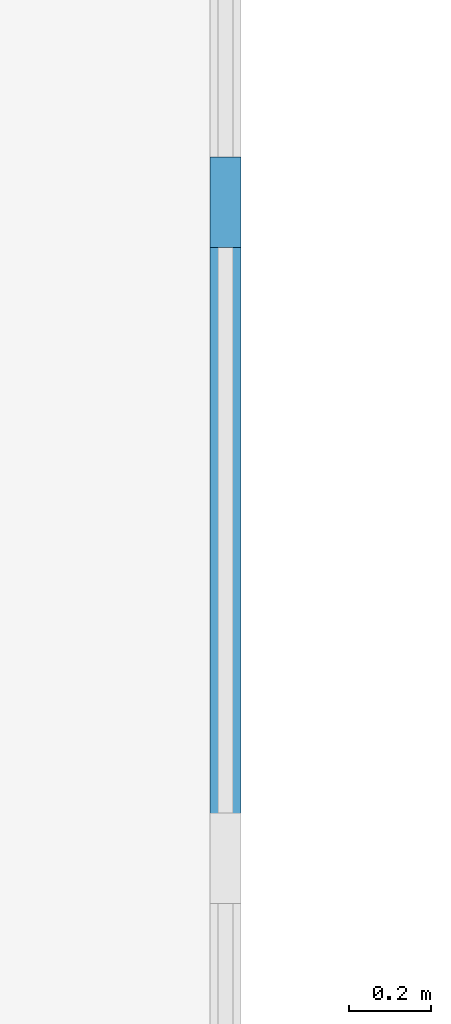
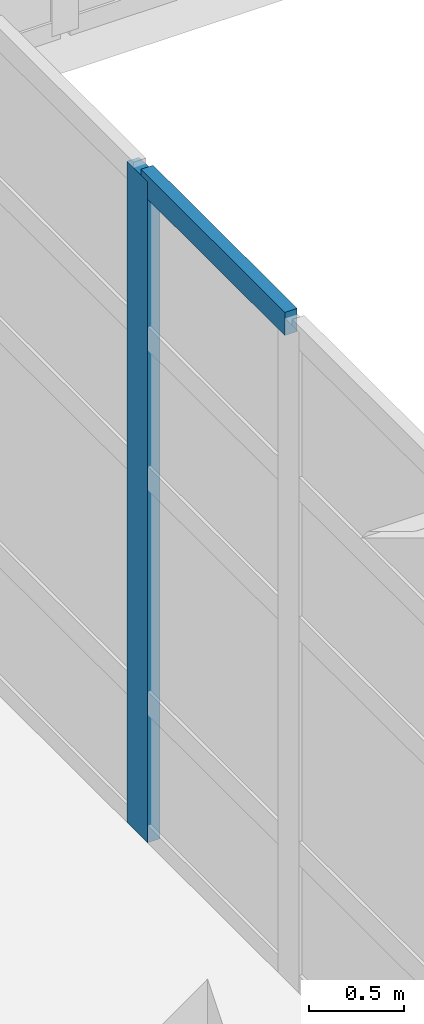
# One storey, part 43 of 139: 2 members, 1 element without a shape of its own.
"""IFC4 building model written with IfcOpenShell, lengths in metres."""

from ifc_helpers import new_model, si_unit, direction, frame, origin, origin_2d, place, context, subcontext, project, spatial, rectangle, extrude, material, layer, layer_set, material_profile, profile_set, type_object, element, aggregate, save


model = new_model("IFC4")

# Units and contexts
model_context = context("Model", 3, precision=1e-05, world=origin(), true_north=direction((0.0, 1.0)))
body_context = subcontext(model_context, "Body", "Model", "MODEL_VIEW")
ifc_project = project(units=[si_unit("LENGTHUNIT", "METRE"), si_unit("AREAUNIT", "SQUARE_METRE"), si_unit("VOLUMEUNIT", "CUBIC_METRE"), si_unit("PLANEANGLEUNIT", "RADIAN"), si_unit("MASSUNIT", "GRAM", prefix="KILO"), si_unit("THERMODYNAMICTEMPERATUREUNIT", "KELVIN"), si_unit("POWERUNIT", "WATT")], contexts=[model_context])

# Site, building, storey
site_placement = place(None, origin())
site = spatial("IfcSite", under=ifc_project, at=site_placement, CompositionType="ELEMENT")
building_placement = place(site_placement, origin())
building = spatial("IfcBuilding", under=site, at=building_placement, Name="Korenveer Ferry Terminal", CompositionType="ELEMENT")
storey_placement = place(building_placement, frame((0.0, 0.0, 5.39990234375)))
storey = spatial("IfcBuildingStorey", under=building, at=storey_placement, Name="L01", CompositionType="ELEMENT", Elevation=5.39990234375)

# Curtain wall, members
ifc_material_1 = material(Name="Unitised bronze-and-glass curtain wall", Category="glass")
ifc_layer = layer(ifc_material_1, 0.219970703125)
ifc_layer_set = layer_set([ifc_layer], Name="Unitised bronze-and-glass curtain wall")
curtain_wall_type = type_object("IfcCurtainWallType", Name="ENV-CW-74", PredefinedType="USERDEFINED", material=ifc_layer_set)
curtain_wall_placement = place(storey_placement, frame((123.0, 69.7900390625, 0.0)))
curtain_wall = element("IfcCurtainWall", 1, at=curtain_wall_placement, inside=storey, type_object=curtain_wall_type, Name="Lancet curtain wall CWX-L01-X123-123-Y60-70", ObjectType="UNITISED CURTAIN WALL", PredefinedType="USERDEFINED")
ifc_material_2 = material(Name="Anodised bronze aluminium", Category="aluminium")
ifc_material_profile_1 = material_profile(ifc_material_2, rectangle(XDim=0.074951171875, YDim=0.219970703125, at=origin_2d()), Name="ALU 75x220")
ifc_profile_set_1 = profile_set([ifc_material_profile_1], Name="Anodised bronze aluminium")
member_type_1 = type_object("IfcMemberType", Name="ENV-CWM-75X220", PredefinedType="MULLION", material=ifc_profile_set_1)
member_1_placement = place(storey_placement, frame((123.0, 63.4033203125, 0.0), z_axis=(0.0, 0.0, 1.0), x_axis=(1.0, 0.0, 0.0)))
member_1 = element("IfcMember", 2, at=member_1_placement, type_object=member_type_1, Name="CW-74 mullion 5", PredefinedType="MULLION", context=body_context, shape_type="SweptSolid", body=[
    extrude(rectangle(XDim=0.074951171875, YDim=0.219970703125, at=origin_2d()), origin(), (0.0, 0.0, 1.0), 4.260009765625),
])
ifc_material_profile_2 = material_profile(ifc_material_2, rectangle(XDim=0.074951171875, YDim=0.14990234375, at=origin_2d()), Name="ALU 75x150")
ifc_profile_set_2 = profile_set([ifc_material_profile_2], Name="Anodised bronze aluminium")
member_type_2 = type_object("IfcMemberType", Name="ENV-CWT-75X150", PredefinedType="USERDEFINED", material=ifc_profile_set_2)
member_2_placement = place(storey_placement, frame((123.0, 63.36572265625, 4.22265625), z_axis=(0.0, -1.0, 0.0), x_axis=(1.0, 0.0, 0.0)))
member_2 = element("IfcMember", 3, at=member_2_placement, type_object=member_type_2, Name="CW-74 transom 5.5", ObjectType="TRANSOM", PredefinedType="USERDEFINED", context=body_context, shape_type="SweptSolid", body=[
    extrude(rectangle(XDim=0.074951171875, YDim=0.14990234375, at=origin_2d()), origin(), (0.0, 0.0, 1.0), 1.521484375),
])
aggregate(curtain_wall, [member_1, member_2])

save(model, "model.ifc")
